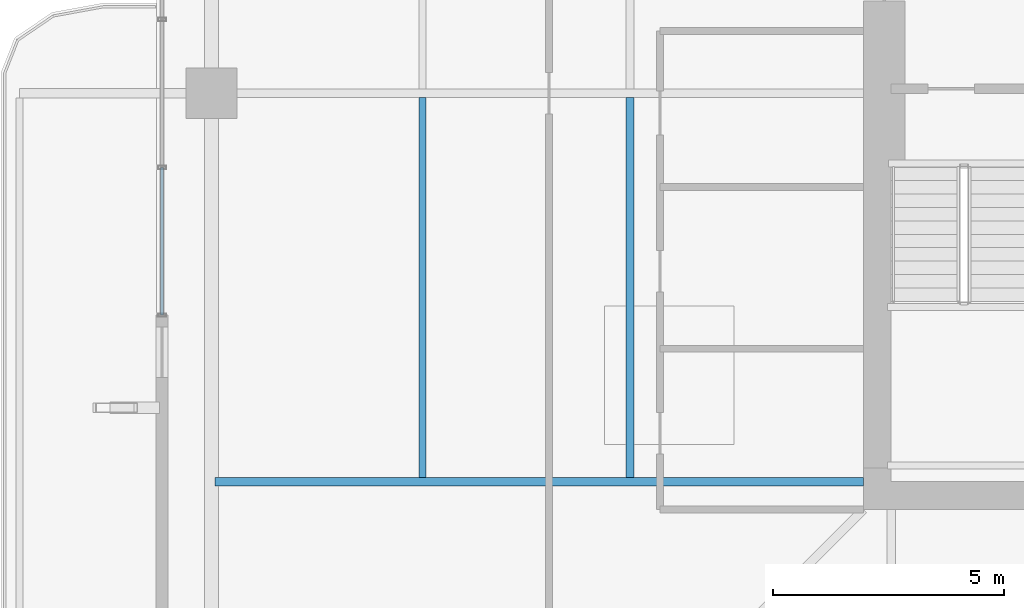
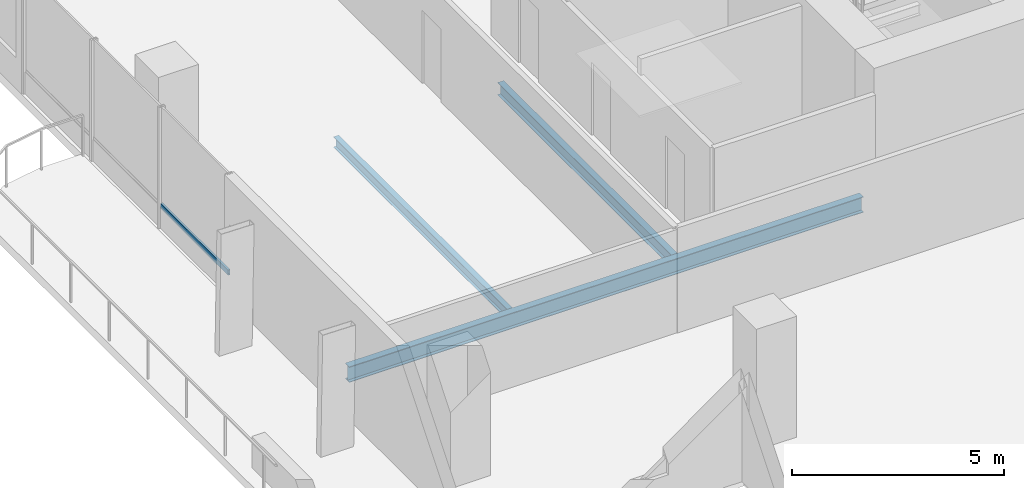
# One storey, part 5 of 25: 3 beams, 1 member, 1 element without a shape of its own.
"""IFC4 building model written with IfcOpenShell, lengths in metres."""

from ifc_helpers import new_model, si_unit, direction, frame, origin, origin_2d, place, context, subcontext, project, spatial, hollow_rectangle, i_section, extrude, material, layer, layer_set, material_profile, profile_set, type_object, element, aggregate, save


model = new_model("IFC4")

# Units and contexts
model_context = context("Model", 3, precision=1e-05, world=origin(), true_north=direction((0.0, 1.0)))
body_context = subcontext(model_context, "Body", "Model", "MODEL_VIEW")
ifc_project = project(units=[si_unit("LENGTHUNIT", "METRE"), si_unit("AREAUNIT", "SQUARE_METRE"), si_unit("VOLUMEUNIT", "CUBIC_METRE"), si_unit("PLANEANGLEUNIT", "RADIAN"), si_unit("MASSUNIT", "GRAM", prefix="KILO")], contexts=[model_context])

# Site, building, storey
site_placement = place(None, origin())
site = spatial("IfcSite", under=ifc_project, at=site_placement, CompositionType="ELEMENT")
building_placement = place(site_placement, origin())
building = spatial("IfcBuilding", under=site, at=building_placement, Name="Belovzor Exchange Tower", CompositionType="ELEMENT")
storey_placement = place(building_placement, frame((0.0, 0.0, 175.800048828125)))
storey = spatial("IfcBuildingStorey", under=building, at=storey_placement, Name="L43", CompositionType="ELEMENT", Elevation=175.800048828125)

# Beams
ifc_material_1 = material(Name="Steel S355", Category="steel")
ifc_material_profile_1 = material_profile(ifc_material_1, i_section(OverallWidth=0.169921875, OverallDepth=0.360107421875, WebThickness=0.008056640625, FlangeThickness=0.0126953125, at=origin_2d()))
ifc_profile_set_1 = profile_set([ifc_material_profile_1], Name="Steel S355")
beam_type_1 = type_object("IfcBeamType", Name="Secondary Infill Floor Joist IPE 360", PredefinedType="BEAM", material=ifc_profile_set_1)
beam_1_placement = place(storey_placement, frame((14.7509765625, 20.4951171875, -0.43505859375), z_axis=(0.0, 1.0, 0.0), x_axis=(-1.0, 0.0, 0.0)))
element("IfcBeam", 1, at=beam_1_placement, inside=storey, type_object=beam_type_1, Name="FJ-360 Secondary Infill Floor Joist IPE 360", PredefinedType="BEAM", context=body_context, shape_type="SweptSolid", body=[
    extrude(i_section(OverallWidth=0.169921875, OverallDepth=0.360107421875, WebThickness=0.008056640625, FlangeThickness=0.0126953125, at=origin_2d()), origin(), (0.0, 0.0, 1.0), 8.2099609375),
])
ifc_material_2 = material(Name="Steel S355", Category="steel")
ifc_material_profile_2 = material_profile(ifc_material_2, i_section(OverallWidth=0.14990234375, OverallDepth=0.300048828125, WebThickness=0.007080078125, FlangeThickness=0.0107421875, at=origin_2d()))
ifc_profile_set_2 = profile_set([ifc_material_profile_2], Name="Steel S355")
beam_type_2 = type_object("IfcBeamType", Name="Secondary Trim Floor Joist IPE 300", PredefinedType="BEAM", material=ifc_profile_set_2)
beam_2_placement = place(storey_placement, frame((10.262939453125, 20.4951171875, -0.405029296875), z_axis=(0.0, 1.0, 0.0), x_axis=(-1.0, 0.0, 0.0)))
element("IfcBeam", 2, at=beam_2_placement, inside=storey, type_object=beam_type_2, Name="FJ-300 Secondary Trim Floor Joist IPE 300", PredefinedType="BEAM", context=body_context, shape_type="SweptSolid", body=[
    extrude(i_section(OverallWidth=0.14990234375, OverallDepth=0.300048828125, WebThickness=0.007080078125, FlangeThickness=0.0107421875, at=origin_2d()), origin(), (0.0, 0.0, 1.0), 8.2099609375),
])

# Curtain wall, member
ifc_material_3 = material(Name="Anodised Aluminium Framing", Category="aluminium")
ifc_layer = layer(ifc_material_3, 0.179931640625)
ifc_layer_set = layer_set([ifc_layer], Name="Anodised Aluminium Framing")
curtain_wall_type = type_object("IfcCurtainWallType", Name="Recessed Loggia Low-Iron Triple-Glazed Curtain Wall", PredefinedType="NOTDEFINED", material=ifc_layer_set)
curtain_wall_placement = place(storey_placement, origin())
curtain_wall = element("IfcCurtainWall", 3, at=curtain_wall_placement, inside=storey, type_object=curtain_wall_type, Name="CW3 Recessed Loggia Low-Iron Triple-Glazed Curtain Wall L43", PredefinedType="NOTDEFINED")
ifc_material_4 = material(Name="Steel S355", Category="steel")
ifc_material_profile_3 = material_profile(ifc_material_4, hollow_rectangle(XDim=0.06005859375, YDim=0.14990234375, WallThickness=0.00390625, at=origin_2d()))
ifc_profile_set_3 = profile_set([ifc_material_profile_3], Name="Steel S355")
member_type = type_object("IfcMemberType", Name="Thermally Broken Curtain Wall Transom 150x60", PredefinedType="USERDEFINED", material=ifc_profile_set_3)
member_placement = place(storey_placement, frame((4.6298828125, 24.008056640625, 0.62890625), z_axis=(0.0, 1.0, 0.0), x_axis=(-1.0, 0.0, 0.0)))
member = element("IfcMember", 4, at=member_placement, type_object=member_type, Name="CW-T150 Curtain Wall Transom 1", ObjectType="TRANSOM", PredefinedType="USERDEFINED", context=body_context, shape_type="SweptSolid", body=[
    extrude(hollow_rectangle(XDim=0.06005859375, YDim=0.14990234375, WallThickness=0.00390625, at=origin_2d()), origin(), (0.0, 0.0, 1.0), 3.183837890625),
])
aggregate(curtain_wall, [member])

# Beam
ifc_material_5 = material(Name="Steel S355", Category="steel")
ifc_material_profile_4 = material_profile(ifc_material_5, i_section(OverallWidth=0.18994140625, OverallDepth=0.449951171875, WebThickness=0.009521484375, FlangeThickness=0.0146484375, at=origin_2d()))
ifc_profile_set_4 = profile_set([ifc_material_profile_4], Name="Steel S355")
beam_type_3 = type_object("IfcBeamType", Name="Zone 2-4 Radial Composite Floor Beam IPE 450", PredefinedType="BEAM", material=ifc_profile_set_4)
beam_3_placement = place(storey_placement, frame((19.800048828125, 20.39990234375, -0.47998046875), z_axis=(-1.0, 0.0, 0.0), x_axis=(0.0, -1.0, 0.0)))
element("IfcBeam", 5, at=beam_3_placement, inside=storey, type_object=beam_type_3, Name="FB-450 Zone 2-4 Radial Composite Floor Beam IPE 450", PredefinedType="BEAM", context=body_context, shape_type="SweptSolid", body=[
    extrude(i_section(OverallWidth=0.18994140625, OverallDepth=0.449951171875, WebThickness=0.009521484375, FlangeThickness=0.0146484375, at=origin_2d()), origin(), (0.0, 0.0, 1.0), 14.025146484375),
])

save(model, "model.ifc")
